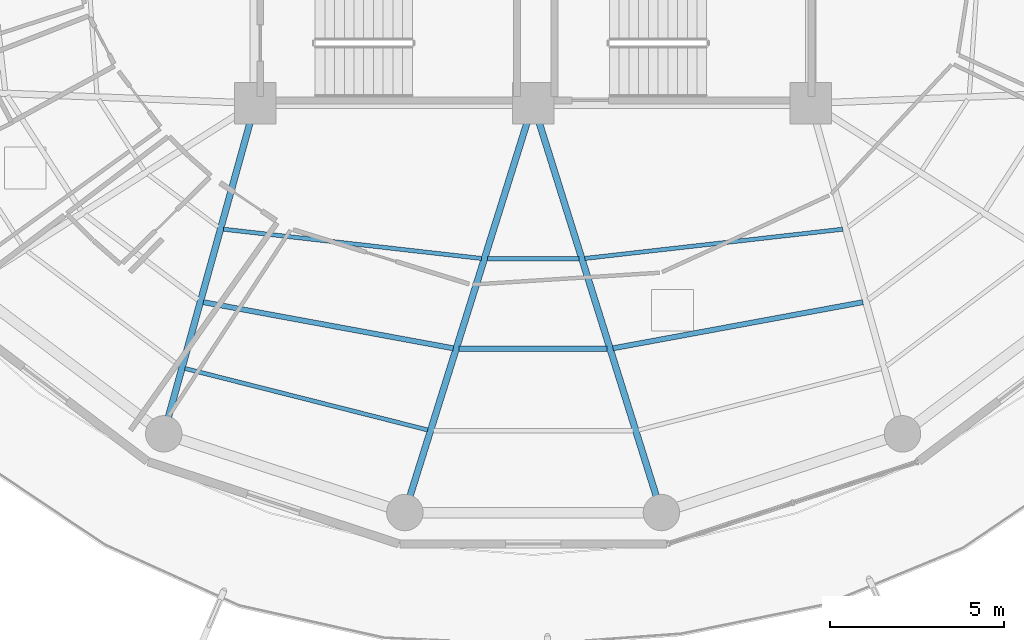
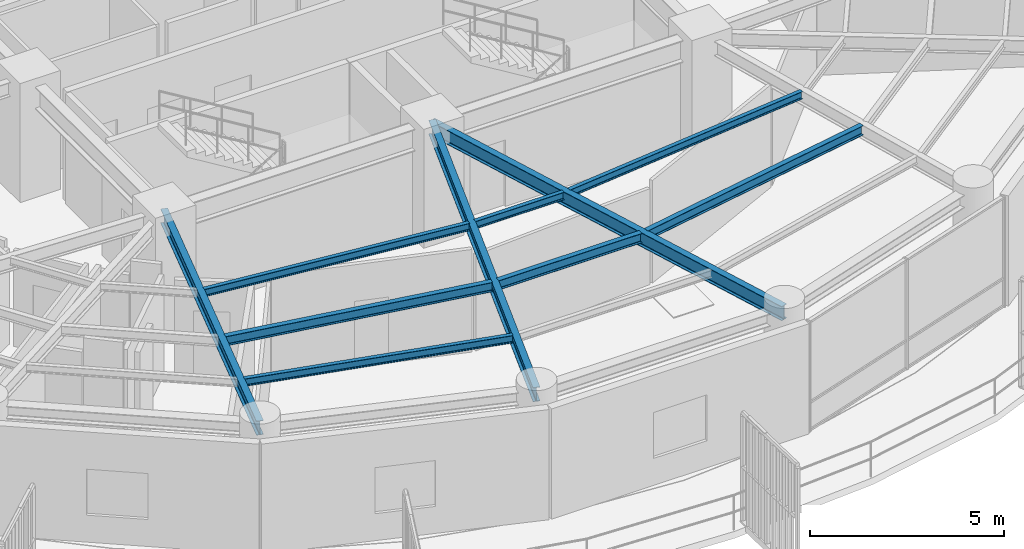
# One storey, part 5 of 30: 10 beams.
"""IFC4 building model written with IfcOpenShell, lengths in metres."""

from ifc_helpers import new_model, si_unit, direction, frame, origin, origin_2d, place, context, subcontext, project, spatial, i_section, extrude, material, material_profile, profile_set, type_object, element, save


model = new_model("IFC4")

# Units and contexts
model_context = context("Model", 3, precision=1e-05, world=origin(), true_north=direction((0.0, 1.0)))
body_context = subcontext(model_context, "Body", "Model", "MODEL_VIEW")
ifc_project = project(units=[si_unit("LENGTHUNIT", "METRE"), si_unit("AREAUNIT", "SQUARE_METRE"), si_unit("VOLUMEUNIT", "CUBIC_METRE"), si_unit("PLANEANGLEUNIT", "RADIAN"), si_unit("MASSUNIT", "GRAM", prefix="KILO")], contexts=[model_context])

# Site, building, storey
site_placement = place(None, origin())
site = spatial("IfcSite", under=ifc_project, at=site_placement, CompositionType="ELEMENT")
building_placement = place(site_placement, origin())
building = spatial("IfcBuilding", under=site, at=building_placement, Name="Kelanora Arch Commons", CompositionType="ELEMENT")
storey_placement = place(building_placement, frame((0.0, 0.0, 215.699951171875)))
storey = spatial("IfcBuildingStorey", under=building, at=storey_placement, Name="L55", CompositionType="ELEMENT", Elevation=215.699951171875)

# Beams
ifc_material = material(Name="Steel S355", Category="steel")
ifc_material_profile_1 = material_profile(ifc_material, i_section(OverallWidth=0.14990234375, OverallDepth=0.300048828125, WebThickness=0.007080078125, FlangeThickness=0.0107421875, FilletRadius=0.014892578125, at=origin_2d()), Name="IPE300")
ifc_profile_set_1 = profile_set([ifc_material_profile_1], Name="Steel S355")
beam_type_1 = type_object("IfcBeamType", Name="BM-JST-01", PredefinedType="JOIST", material=ifc_profile_set_1)
beam_1_placement = place(storey_placement, frame((64.49951171875, 45.270263671875, 3.340087890625), z_axis=(0.983389964671, -0.181505309519, 0.0), x_axis=(0.181505309519, 0.983389964671, 0.0)))
element("IfcBeam", 1, at=beam_1_placement, inside=storey, type_object=beam_type_1, Name="Secondary Chord Joist BJB-24 L55", PredefinedType="JOIST", context=body_context, shape_type="SweptSolid", body=[
    extrude(i_section(OverallWidth=0.14990234375, OverallDepth=0.300048828125, WebThickness=0.007080078125, FlangeThickness=0.0107421875, FilletRadius=0.014892578125, at=origin_2d()), origin(), (0.0, 0.0, 1.0), 7.3212890625),
])
beam_2_placement = place(storey_placement, frame((71.867919921875, 43.92578125, 3.340087890625), z_axis=(1.0, 0.0, 0.0), x_axis=(0.0, 1.0, 0.0)))
element("IfcBeam", 2, at=beam_2_placement, inside=storey, type_object=beam_type_1, Name="Secondary Chord Joist BJB-26 L55", PredefinedType="JOIST", context=body_context, shape_type="SweptSolid", body=[
    extrude(i_section(OverallWidth=0.14990234375, OverallDepth=0.300048828125, WebThickness=0.007080078125, FlangeThickness=0.0107421875, FilletRadius=0.014892578125, at=origin_2d()), origin(), (0.0, 0.0, 1.0), 4.26416015625),
])
beam_3_placement = place(storey_placement, frame((76.30078125, 43.94140625, 3.340087890625), z_axis=(0.983389964671, 0.181505309519, 0.0), x_axis=(-0.181505309519, 0.983389964671, 0.0)))
element("IfcBeam", 3, at=beam_3_placement, inside=storey, type_object=beam_type_1, Name="Secondary Chord Joist BJB-28 L55", PredefinedType="JOIST", context=body_context, shape_type="SweptSolid", body=[
    extrude(i_section(OverallWidth=0.14990234375, OverallDepth=0.300048828125, WebThickness=0.007080078125, FlangeThickness=0.0107421875, FilletRadius=0.014892578125, at=origin_2d()), origin(), (0.0, 0.0, 1.0), 7.3212890625),
])
ifc_material_profile_2 = material_profile(ifc_material, i_section(OverallWidth=0.1201171875, OverallDepth=0.239990234375, WebThickness=0.006103515625, FlangeThickness=0.009765625, FilletRadius=0.014892578125, at=origin_2d()), Name="IPE240")
ifc_profile_set_2 = profile_set([ifc_material_profile_2], Name="Steel S355")
beam_type_2 = type_object("IfcBeamType", Name="BM-JST-02", PredefinedType="JOIST", material=ifc_profile_set_2)
beam_4_placement = place(storey_placement, frame((65.081298828125, 47.371337890625, 3.3701171875), z_axis=(0.993639672263, -0.11260640171, 0.0), x_axis=(0.11260640171, 0.993639672263, 0.0)))
element("IfcBeam", 4, at=beam_4_placement, inside=storey, type_object=beam_type_2, Name="Secondary Chord Joist BJA-24 L55", PredefinedType="JOIST", context=body_context, shape_type="SweptSolid", body=[
    extrude(i_section(OverallWidth=0.1201171875, OverallDepth=0.239990234375, WebThickness=0.006103515625, FlangeThickness=0.009765625, FilletRadius=0.014892578125, at=origin_2d()), origin(), (0.0, 0.0, 1.0), 7.477783203125),
])
beam_5_placement = place(storey_placement, frame((63.970458984375, 43.360107421875, 3.3701171875), z_axis=(0.969370989998, -0.245601066263, 0.0), x_axis=(0.245601066263, 0.969370989998, 0.0)))
element("IfcBeam", 5, at=beam_5_placement, inside=storey, type_object=beam_type_2, Name="Secondary Chord Joist BJC-24 L55", PredefinedType="JOIST", context=body_context, shape_type="SweptSolid", body=[
    extrude(i_section(OverallWidth=0.1201171875, OverallDepth=0.239990234375, WebThickness=0.006103515625, FlangeThickness=0.009765625, FilletRadius=0.014892578125, at=origin_2d()), origin(), (0.0, 0.0, 1.0), 7.2119140625),
])
beam_6_placement = place(storey_placement, frame((72.680908203125, 46.519775390625, 3.3701171875), z_axis=(1.0, 0.0, 0.0), x_axis=(0.0, 1.0, 0.0)))
element("IfcBeam", 6, at=beam_6_placement, inside=storey, type_object=beam_type_2, Name="Secondary Chord Joist BJA-26 L55", PredefinedType="JOIST", context=body_context, shape_type="SweptSolid", body=[
    extrude(i_section(OverallWidth=0.1201171875, OverallDepth=0.239990234375, WebThickness=0.006103515625, FlangeThickness=0.009765625, FilletRadius=0.014892578125, at=origin_2d()), origin(), (0.0, 0.0, 1.0), 2.63818359375),
])
beam_7_placement = place(storey_placement, frame((75.488525390625, 46.529296875, 3.3701171875), z_axis=(0.993639672263, 0.11260640171, 0.0), x_axis=(-0.11260640171, 0.993639672263, 0.0)))
element("IfcBeam", 7, at=beam_7_placement, inside=storey, type_object=beam_type_2, Name="Secondary Chord Joist BJA-28 L55", PredefinedType="JOIST", context=body_context, shape_type="SweptSolid", body=[
    extrude(i_section(OverallWidth=0.1201171875, OverallDepth=0.239990234375, WebThickness=0.006103515625, FlangeThickness=0.009765625, FilletRadius=0.014892578125, at=origin_2d()), origin(), (0.0, 0.0, 1.0), 7.477783203125),
])
ifc_material_profile_3 = material_profile(ifc_material, i_section(OverallWidth=0.18994140625, OverallDepth=0.449951171875, WebThickness=0.009521484375, FlangeThickness=0.0146484375, FilletRadius=0.02099609375, at=origin_2d()), Name="IPE450")
ifc_profile_set_3 = profile_set([ifc_material_profile_3], Name="Steel S355")
beam_type_3 = type_object("IfcBeamType", Name="BM-RAD-Z4", PredefinedType="BEAM", material=ifc_profile_set_3)
beam_8_placement = place(storey_placement, frame((66.0, 51.0, 3.26513671875), z_axis=(-0.267120164296, -0.963663228429, 0.0), x_axis=(0.963663228429, -0.267120164296, 0.0)))
element("IfcBeam", 8, at=beam_8_placement, inside=storey, type_object=beam_type_3, Name="Radial Floor Girder BR-24 L55", PredefinedType="BEAM", context=body_context, shape_type="SweptSolid", body=[
    extrude(i_section(OverallWidth=0.18994140625, OverallDepth=0.449951171875, WebThickness=0.009521484375, FlangeThickness=0.0146484375, FilletRadius=0.02099609375, at=origin_2d()), origin(), (0.0, 0.0, 1.0), 9.8828125),
])
for number, where, z_axis, x_axis, name in (
    (9, (74.0, 51.0, 3.26513671875), (-0.299080457492, -0.954227897279, 0.0), (0.954227897279, -0.299080457492, 0.0), "Radial Floor Girder BR-26 L55"),
    (10, (74.0, 51.0, 3.26513671875), (0.299080457492, -0.954227897279, 0.0), (0.954227897279, 0.299080457492, 0.0), "Radial Floor Girder BR-28 L55"),
):
    element("IfcBeam", number, at=place(storey_placement, frame(where, z_axis=z_axis, x_axis=x_axis)), inside=storey, type_object=beam_type_3, Name=name, PredefinedType="BEAM", context=body_context, shape_type="SweptSolid", body=[
        extrude(i_section(OverallWidth=0.18994140625, OverallDepth=0.449951171875, WebThickness=0.009521484375, FlangeThickness=0.0146484375, FilletRadius=0.02099609375, at=origin_2d()), origin(), (0.0, 0.0, 1.0), 12.35546875),
    ])

save(model, "model.ifc")
